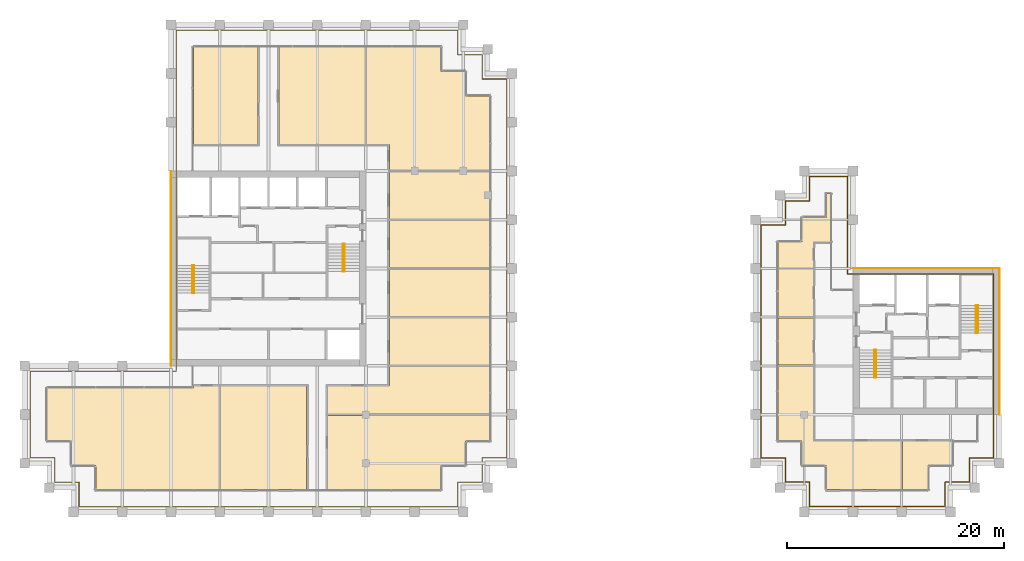
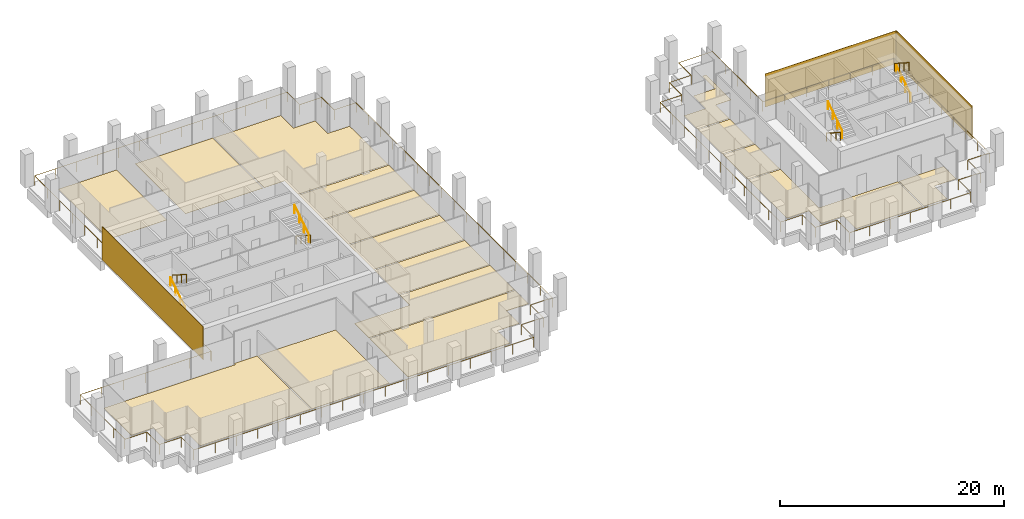
# One storey, part 40 of 40: 19 coverings, 10 railings.
"""IFC4 building model written with IfcOpenShell, lengths in metres."""

from ifc_helpers import new_model, si_unit, direction, frame, origin, origin_2d, place, context, subcontext, project, spatial, polyline, rectangle, circle, outline, extrude, source, transform, mapped, material, layer, layer_set, type_object, element, save


model = new_model("IFC4")

# Units and contexts
model_context = context("Model", 3, precision=1e-05, world=origin(), true_north=direction((0.0, 1.0)))
body_context = subcontext(model_context, "Body", "Model", "MODEL_VIEW")
ifc_project = project(units=[si_unit("LENGTHUNIT", "METRE"), si_unit("AREAUNIT", "SQUARE_METRE"), si_unit("VOLUMEUNIT", "CUBIC_METRE"), si_unit("PLANEANGLEUNIT", "RADIAN"), si_unit("MASSUNIT", "GRAM", prefix="KILO")], contexts=[model_context])

# Site, building, storey
site_placement = place(None, origin())
site = spatial("IfcSite", under=ifc_project, at=site_placement, CompositionType="ELEMENT")
building_placement = place(site_placement, origin())
building = spatial("IfcBuilding", under=site, at=building_placement, Name="Altepetl Exchange Towers", CompositionType="ELEMENT")
storey_placement = place(building_placement, frame((0.0, 0.0, 151.0)))
storey = spatial("IfcBuildingStorey", under=building, at=storey_placement, Name="L37", CompositionType="ELEMENT", Elevation=151.0)

# Coverings
ifc_material_1 = material(Name="Carpet tile")
ifc_layer_1 = layer(ifc_material_1, 0.02001953125)
ifc_layer_set_1 = layer_set([ifc_layer_1], Name="Carpet tile")
covering_type_1 = type_object("IfcCoveringType", Name="Carpet tile floor", PredefinedType="FLOORING", material=ifc_layer_set_1)
covering_1_placement = place(storey_placement, origin())
element("IfcCovering", 1, at=covering_1_placement, inside=storey, type_object=covering_type_1, Name="Fund office floor finish A37.01", PredefinedType="FLOORING", context=body_context, shape_type="SweptSolid", body=[
    extrude(outline(polyline([(31.3125, 31.3125), (33.5625, 31.3125), (33.5625, 29.0625), (44.9375, 29.0625), (44.9375, 38.637451171875), (42.5625, 38.637451171875), (42.5625, 38.4375), (29.0625, 38.4375), (29.0625, 33.5625), (31.3125, 33.5625), (31.3125, 31.3125)])), origin(), (0.0, 0.0, 1.0), 0.02001953125),
])
covering_2_placement = place(storey_placement, origin())
element("IfcCovering", 2, at=covering_2_placement, inside=storey, type_object=covering_type_1, Name="Fund office floor finish A37.02", PredefinedType="FLOORING", context=body_context, shape_type="SweptSolid", body=[
    extrude(outline(polyline([(45.0625, 38.637451171875), (45.0625, 29.0625), (53.03759765625, 29.0625), (53.03759765625, 38.637451171875), (45.0625, 38.637451171875)])), origin(), (0.0, 0.0, 1.0), 0.02001953125),
])
covering_3_placement = place(storey_placement, origin())
element("IfcCovering", 3, at=covering_3_placement, inside=storey, type_object=covering_type_1, Name="Meeting room floor finish A37.05", PredefinedType="FLOORING", context=body_context, shape_type="SweptSolid", body=[
    extrude(outline(polyline([(69.9375, 44.9375), (60.66259765625, 44.9375), (60.66259765625, 40.5625), (69.9375, 40.5625), (69.9375, 44.9375)])), origin(), (0.0, 0.0, 1.0), 0.02001953125),
])
covering_4_placement = place(storey_placement, origin())
element("IfcCovering", 4, at=covering_4_placement, inside=storey, type_object=covering_type_1, Name="Conference room floor finish A37.06", PredefinedType="FLOORING", context=body_context, shape_type="SweptSolid", body=[
    extrude(outline(polyline([(69.9375, 49.4375), (60.66259765625, 49.4375), (60.66259765625, 45.0625), (69.9375, 45.0625), (69.9375, 49.4375)])), origin(), (0.0, 0.0, 1.0), 0.02001953125),
])
covering_5_placement = place(storey_placement, origin())
element("IfcCovering", 5, at=covering_5_placement, inside=storey, type_object=covering_type_1, Name="Meeting room floor finish A37.07", PredefinedType="FLOORING", context=body_context, shape_type="SweptSolid", body=[
    extrude(outline(polyline([(69.9375, 53.9375), (60.66259765625, 53.9375), (60.66259765625, 49.5625), (69.9375, 49.5625), (69.9375, 53.9375)])), origin(), (0.0, 0.0, 1.0), 0.02001953125),
])
covering_6_placement = place(storey_placement, origin())
element("IfcCovering", 6, at=covering_6_placement, inside=storey, type_object=covering_type_1, Name="Conference room floor finish A37.08", PredefinedType="FLOORING", context=body_context, shape_type="SweptSolid", body=[
    extrude(outline(polyline([(69.9375, 54.0625), (69.9375, 58.4375), (60.66259765625, 58.4375), (60.66259765625, 54.0625), (69.9375, 54.0625)])), origin(), (0.0, 0.0, 1.0), 0.02001953125),
])
covering_7_placement = place(storey_placement, origin())
element("IfcCovering", 7, at=covering_7_placement, inside=storey, type_object=covering_type_1, Name="Open office floor finish A37.09", PredefinedType="FLOORING", context=body_context, shape_type="SweptSolid", body=[
    extrude(outline(polyline([(60.66259765625, 58.5625), (69.9375, 58.5625), (69.9375, 65.4375), (67.6875, 65.4375), (67.6875, 67.6875), (65.4375, 67.6875), (65.4375, 69.9375), (58.5625, 69.9375), (58.5625, 60.96240234375), (60.66259765625, 60.96240234375), (60.66259765625, 58.5625)])), origin(), (0.0, 0.0, 1.0), 0.02001953125),
])
covering_8_placement = place(storey_placement, origin())
element("IfcCovering", 8, at=covering_8_placement, inside=storey, type_object=covering_type_1, Name="Open office floor finish A37.10", PredefinedType="FLOORING", context=body_context, shape_type="SweptSolid", body=[
    extrude(outline(polyline([(58.4375, 60.96240234375), (58.4375, 69.9375), (50.46240234375, 69.9375), (50.46240234375, 60.96240234375), (58.4375, 60.96240234375)])), origin(), (0.0, 0.0, 1.0), 0.02001953125),
])
covering_9_placement = place(storey_placement, origin())
element("IfcCovering", 9, at=covering_9_placement, inside=storey, type_object=covering_type_1, Name="Fund office floor finish A37.11", PredefinedType="FLOORING", context=body_context, shape_type="SweptSolid", body=[
    extrude(outline(polyline([(42.5625, 60.96240234375), (48.53759765625, 60.96240234375), (48.53759765625, 69.9375), (42.5625, 69.9375), (42.5625, 60.96240234375)])), origin(), (0.0, 0.0, 1.0), 0.02001953125),
])
covering_10_placement = place(storey_placement, origin())
element("IfcCovering", 10, at=covering_10_placement, inside=storey, type_object=covering_type_1, Name="Family office floor finish B37.01", PredefinedType="FLOORING", context=body_context, shape_type="SweptSolid", body=[
    extrude(outline(polyline([(98.8125, 33.5625), (98.8125, 31.3125), (101.0625, 31.3125), (101.0625, 29.0625), (107.9375, 29.0625), (107.9375, 33.53759765625), (99.83740234375, 33.53759765625), (99.83740234375, 40.4375), (96.5625, 40.4375), (96.5625, 33.5625), (98.8125, 33.5625)])), origin(), (0.0, 0.0, 1.0), 0.02001953125),
])
covering_11_placement = place(storey_placement, origin())
element("IfcCovering", 11, at=covering_11_placement, inside=storey, type_object=covering_type_1, Name="Family office floor finish B37.02", PredefinedType="FLOORING", context=body_context, shape_type="SweptSolid", body=[
    extrude(outline(polyline([(108.0625, 33.53759765625), (108.0625, 29.0625), (110.4375, 29.0625), (110.4375, 31.3125), (112.6875, 31.3125), (112.6875, 33.53759765625), (108.0625, 33.53759765625)])), origin(), (0.0, 0.0, 1.0), 0.02001953125),
])
covering_12_placement = place(storey_placement, origin())
element("IfcCovering", 12, at=covering_12_placement, inside=storey, type_object=covering_type_1, Name="Meeting room floor finish B37.03", PredefinedType="FLOORING", context=body_context, shape_type="SweptSolid", body=[
    extrude(outline(polyline([(96.5625, 49.5625), (99.83740234375, 49.5625), (99.83740234375, 51.96240234375), (101.4375, 51.96240234375), (101.4375, 56.4375), (101.0625, 56.4375), (101.0625, 54.1875), (98.8125, 54.1875), (98.8125, 51.9375), (96.5625, 51.9375), (96.5625, 49.5625)])), origin(), (0.0, 0.0, 1.0), 0.02001953125),
])
covering_13_placement = place(storey_placement, origin())
element("IfcCovering", 13, at=covering_13_placement, inside=storey, type_object=covering_type_1, Name="Interview room floor finish B37.04", PredefinedType="FLOORING", context=body_context, shape_type="SweptSolid", body=[
    extrude(outline(polyline([(96.5625, 45.0625), (99.83740234375, 45.0625), (99.83740234375, 49.4375), (96.5625, 49.4375), (96.5625, 45.0625)])), origin(), (0.0, 0.0, 1.0), 0.02001953125),
])
covering_14_placement = place(storey_placement, origin())
element("IfcCovering", 14, at=covering_14_placement, inside=storey, type_object=covering_type_1, Name="Interview room floor finish B37.05", PredefinedType="FLOORING", context=body_context, shape_type="SweptSolid", body=[
    extrude(outline(polyline([(96.5625, 40.5625), (99.83740234375, 40.5625), (99.83740234375, 44.9375), (96.5625, 44.9375), (96.5625, 40.5625)])), origin(), (0.0, 0.0, 1.0), 0.02001953125),
])
ifc_material_2 = material(Name="Calcium sulphate access floor panel")
ifc_layer_2 = layer(ifc_material_2, 0.0400390625)
ifc_layer_set_2 = layer_set([ifc_layer_2], Name="Calcium sulphate access floor panel")
covering_type_2 = type_object("IfcCoveringType", Name="Raised access floor panels", PredefinedType="FLOORING", material=ifc_layer_set_2)
covering_15_placement = place(storey_placement, origin())
element("IfcCovering", 15, at=covering_15_placement, inside=storey, type_object=covering_type_2, Name="Broker office floor finish A37.03", PredefinedType="FLOORING", context=body_context, shape_type="SweptSolid", body=[
    extrude(outline(polyline([(69.9375, 35.9375), (54.96240234375, 35.9375), (54.96240234375, 29.0625), (65.4375, 29.0625), (65.4375, 31.3125), (67.6875, 31.3125), (67.6875, 33.5625), (69.9375, 33.5625), (69.9375, 35.9375)])), origin(), (0.0, 0.0, 1.0), 0.0400390625),
])
covering_16_placement = place(storey_placement, origin())
element("IfcCovering", 16, at=covering_16_placement, inside=storey, type_object=covering_type_2, Name="Broker office floor finish A37.04", PredefinedType="FLOORING", context=body_context, shape_type="SweptSolid", body=[
    extrude(outline(polyline([(69.9375, 40.4375), (60.66259765625, 40.4375), (60.66259765625, 38.637451171875), (54.96240234375, 38.637451171875), (54.96240234375, 36.0625), (69.9375, 36.0625), (69.9375, 40.4375)])), origin(), (0.0, 0.0, 1.0), 0.0400390625),
])
ifc_material_3 = material(Name="Cantera limestone cladding", Category="masonry")
ifc_layer_3 = layer(ifc_material_3, 0.0400390625)
ifc_layer_set_3 = layer_set([ifc_layer_3], Name="Cantera limestone cladding")
covering_type_3 = type_object("IfcCoveringType", Name="Stone panel 40 cantera", PredefinedType="CLADDING", material=ifc_layer_set_3)
covering_17_placement = place(storey_placement, frame((40.47998046875, 49.5, 0.0), z_axis=(0.0, 0.0, 1.0), x_axis=(0.0, -1.0, 0.0)))
element("IfcCovering", 17, at=covering_17_placement, inside=storey, type_object=covering_type_3, Name="Stone cladding panel", PredefinedType="CLADDING", context=body_context, shape_type="SweptSolid", body=[
    extrude(rectangle(XDim=18.0, YDim=0.0400390625, at=origin_2d()), origin(), (0.0, 0.0, 1.0), 3.60009765625),
])
for number, where, z_axis, x_axis, name in (
    (18, (117.02001953125, 42.75, 0.0), (0.0, 0.0, 1.0), (0.0, 1.0, 0.0), "Stone cladding panel"),
    (19, (110.25, 49.52001953125, 0.0), (0.0, 0.0, 1.0), (-1.0, 0.0, 0.0), "Stone cladding panel"),
):
    element("IfcCovering", number, at=place(storey_placement, frame(where, z_axis=z_axis, x_axis=x_axis)), inside=storey, type_object=covering_type_3, Name=name, PredefinedType="CLADDING", context=body_context, shape_type="SweptSolid", body=[
        extrude(rectangle(XDim=13.5, YDim=0.0400390625, at=origin_2d()), origin(), (0.0, 0.0, 1.0), 3.60009765625),
    ])

# Railings
ifc_material_4 = material(Name="Steel S355", Category="steel")
railing_type_1 = type_object("IfcRailingType", Name="Guard 1100 steel posts and rail", PredefinedType="GUARDRAIL", material=ifc_material_4)
shared_shape_1 = source(origin(), body_context, "Body", "SweptSolid", [
    extrude(circle(Radius=0.02099609375, at=origin_2d()), origin(), (0.0, 0.0, 1.0), 1.052001953125),
])
railing_1_placement = place(storey_placement, frame((41.0, 40.0, 0.0)))
element("IfcRailing", 20, at=railing_1_placement, inside=storey, type_object=railing_type_1, Name="Loggia guard", PredefinedType="GUARDRAIL", context=body_context, shape_type="SweptSolid", body=[
    extrude(circle(Radius=0.02392578125, at=origin_2d()), frame((0.0, 0.0, 1.076171875), z_axis=(-1.0, 0.0, 0.0), x_axis=(0.0, -1.0, 0.0)), (0.0, 0.0, 1.0), 13.5),
    extrude(circle(Radius=0.02392578125, at=origin_2d()), frame((-13.5, 0.0, 1.076171875), z_axis=(0.0, -1.0, 0.0), x_axis=(1.0, 0.0, 0.0)), (0.0, 0.0, 1.0), 8.0),
    extrude(circle(Radius=0.02392578125, at=origin_2d()), frame((-13.5, -8.0, 1.076171875), z_axis=(1.0, 0.0, 0.0), x_axis=(0.0, 1.0, 0.0)), (0.0, 0.0, 1.0), 2.25),
    extrude(circle(Radius=0.02392578125, at=origin_2d()), frame((-11.25, -8.0, 1.076171875), z_axis=(0.0, -1.0, 0.0), x_axis=(1.0, 0.0, 0.0)), (0.0, 0.0, 1.0), 2.25),
    extrude(circle(Radius=0.02392578125, at=origin_2d()), frame((-11.25, -10.25, 1.076171875), z_axis=(1.0, 0.0, 0.0), x_axis=(0.0, 1.0, 0.0)), (0.0, 0.0, 1.0), 2.25),
    extrude(circle(Radius=0.02392578125, at=origin_2d()), frame((-9.0, -10.25, 1.076171875), z_axis=(0.0, -1.0, 0.0), x_axis=(1.0, 0.0, 0.0)), (0.0, 0.0, 1.0), 2.25),
    extrude(circle(Radius=0.02392578125, at=origin_2d()), frame((-9.0, -12.5, 1.076171875), z_axis=(1.0, 0.0, 0.0), x_axis=(0.0, 1.0, 0.0)), (0.0, 0.0, 1.0), 35.0),
    extrude(circle(Radius=0.02392578125, at=origin_2d()), frame((26.0, -12.5, 1.076171875), z_axis=(0.0, 1.0, 0.0), x_axis=(-1.0, 0.0, 0.0)), (0.0, 0.0, 1.0), 2.25),
    extrude(circle(Radius=0.02392578125, at=origin_2d()), frame((26.0, -10.25, 1.076171875), z_axis=(1.0, 0.0, 0.0), x_axis=(0.0, 1.0, 0.0)), (0.0, 0.0, 1.0), 2.25),
    extrude(circle(Radius=0.02392578125, at=origin_2d()), frame((28.25, -10.25, 1.076171875), z_axis=(0.0, 1.0, 0.0), x_axis=(-1.0, 0.0, 0.0)), (0.0, 0.0, 1.0), 2.25),
    extrude(circle(Radius=0.02392578125, at=origin_2d()), frame((28.25, -8.0, 1.076171875), z_axis=(1.0, 0.0, 0.0), x_axis=(0.0, 1.0, 0.0)), (0.0, 0.0, 1.0), 2.25),
    extrude(circle(Radius=0.02392578125, at=origin_2d()), frame((30.5, -8.0, 1.076171875), z_axis=(0.0, 1.0, 0.0), x_axis=(-1.0, 0.0, 0.0)), (0.0, 0.0, 1.0), 35.0),
    extrude(circle(Radius=0.02392578125, at=origin_2d()), frame((30.5, 27.0, 1.076171875), z_axis=(-1.0, 0.0, 0.0), x_axis=(0.0, -1.0, 0.0)), (0.0, 0.0, 1.0), 2.25),
    extrude(circle(Radius=0.02392578125, at=origin_2d()), frame((28.25, 27.0, 1.076171875), z_axis=(0.0, 1.0, 0.0), x_axis=(-1.0, 0.0, 0.0)), (0.0, 0.0, 1.0), 2.25),
    extrude(circle(Radius=0.02392578125, at=origin_2d()), frame((28.25, 29.25, 1.076171875), z_axis=(-1.0, 0.0, 0.0), x_axis=(0.0, -1.0, 0.0)), (0.0, 0.0, 1.0), 2.25),
    extrude(circle(Radius=0.02392578125, at=origin_2d()), frame((26.0, 29.25, 1.076171875), z_axis=(0.0, 1.0, 0.0), x_axis=(-1.0, 0.0, 0.0)), (0.0, 0.0, 1.0), 2.25),
    extrude(circle(Radius=0.02392578125, at=origin_2d()), frame((26.0, 31.5, 1.076171875), z_axis=(-1.0, 0.0, 0.0), x_axis=(0.0, -1.0, 0.0)), (0.0, 0.0, 1.0), 26.0),
    extrude(circle(Radius=0.02392578125, at=origin_2d()), frame((0.0, 31.5, 1.076171875), z_axis=(0.0, -1.0, 0.0), x_axis=(1.0, 0.0, 0.0)), (0.0, 0.0, 1.0), 31.39990234375),
    mapped(shared_shape_1, transform((0.0, 0.0, 0.0))),
    mapped(shared_shape_1, transform((-2.25, 0.0, 0.0))),
    mapped(shared_shape_1, transform((-4.5, 0.0, 0.0))),
    mapped(shared_shape_1, transform((-6.75, 0.0, 0.0))),
    mapped(shared_shape_1, transform((-9.0, 0.0, 0.0))),
    mapped(shared_shape_1, transform((-11.25, 0.0, 0.0))),
    mapped(shared_shape_1, transform((-13.5, 0.0, 0.0))),
    mapped(shared_shape_1, transform((-13.5, -2.0, 0.0))),
    mapped(shared_shape_1, transform((-13.5, -4.0, 0.0))),
    mapped(shared_shape_1, transform((-13.5, -6.0, 0.0))),
    mapped(shared_shape_1, transform((-13.5, -8.0, 0.0))),
    mapped(shared_shape_1, transform((-11.25, -8.0, 0.0))),
    mapped(shared_shape_1, transform((-11.25, -10.25, 0.0))),
    mapped(shared_shape_1, transform((-9.0, -10.25, 0.0))),
    mapped(shared_shape_1, transform((-9.0, -12.5, 0.0))),
    mapped(shared_shape_1, transform((-6.8125, -12.5, 0.0))),
    mapped(shared_shape_1, transform((-4.625, -12.5, 0.0))),
    mapped(shared_shape_1, transform((-2.4375, -12.5, 0.0))),
    mapped(shared_shape_1, transform((-0.25, -12.5, 0.0))),
    mapped(shared_shape_1, transform((1.9375, -12.5, 0.0))),
    mapped(shared_shape_1, transform((4.125, -12.5, 0.0))),
    mapped(shared_shape_1, transform((6.3125, -12.5, 0.0))),
    mapped(shared_shape_1, transform((8.5, -12.5, 0.0))),
    mapped(shared_shape_1, transform((10.6875, -12.5, 0.0))),
    mapped(shared_shape_1, transform((12.875, -12.5, 0.0))),
    mapped(shared_shape_1, transform((15.0625, -12.5, 0.0))),
    mapped(shared_shape_1, transform((17.25, -12.5, 0.0))),
    mapped(shared_shape_1, transform((19.4375, -12.5, 0.0))),
    mapped(shared_shape_1, transform((21.625, -12.5, 0.0))),
    mapped(shared_shape_1, transform((23.8125, -12.5, 0.0))),
    mapped(shared_shape_1, transform((26.0, -12.5, 0.0))),
    mapped(shared_shape_1, transform((26.0, -10.25, 0.0))),
    mapped(shared_shape_1, transform((28.25, -10.25, 0.0))),
    mapped(shared_shape_1, transform((28.25, -8.0, 0.0))),
    mapped(shared_shape_1, transform((30.5, -8.0, 0.0))),
    mapped(shared_shape_1, transform((30.5, -5.8125, 0.0))),
    mapped(shared_shape_1, transform((30.5, -3.625, 0.0))),
    mapped(shared_shape_1, transform((30.5, -1.4375, 0.0))),
    mapped(shared_shape_1, transform((30.5, 0.75, 0.0))),
    mapped(shared_shape_1, transform((30.5, 2.9375, 0.0))),
    mapped(shared_shape_1, transform((30.5, 5.125, 0.0))),
    mapped(shared_shape_1, transform((30.5, 7.3125, 0.0))),
    mapped(shared_shape_1, transform((30.5, 9.5, 0.0))),
    mapped(shared_shape_1, transform((30.5, 11.6875, 0.0))),
    mapped(shared_shape_1, transform((30.5, 13.875, 0.0))),
    mapped(shared_shape_1, transform((30.5, 16.0625, 0.0))),
    mapped(shared_shape_1, transform((30.5, 18.25, 0.0))),
    mapped(shared_shape_1, transform((30.5, 20.4375, 0.0))),
    mapped(shared_shape_1, transform((30.5, 22.625, 0.0))),
    mapped(shared_shape_1, transform((30.5, 24.8125, 0.0))),
    mapped(shared_shape_1, transform((30.5, 27.0, 0.0))),
    mapped(shared_shape_1, transform((28.25, 27.0, 0.0))),
    mapped(shared_shape_1, transform((28.25, 29.25, 0.0))),
    mapped(shared_shape_1, transform((26.0, 29.25, 0.0))),
    mapped(shared_shape_1, transform((26.0, 31.5, 0.0))),
    mapped(shared_shape_1, transform((23.833251953125, 31.5, 0.0))),
    mapped(shared_shape_1, transform((21.666748046875, 31.5, 0.0))),
    mapped(shared_shape_1, transform((19.5, 31.5, 0.0))),
    mapped(shared_shape_1, transform((17.333251953125, 31.5, 0.0))),
    mapped(shared_shape_1, transform((15.166748046875, 31.5, 0.0))),
    mapped(shared_shape_1, transform((13.0, 31.5, 0.0))),
    mapped(shared_shape_1, transform((10.833251953125, 31.5, 0.0))),
    mapped(shared_shape_1, transform((8.666748046875, 31.5, 0.0))),
    mapped(shared_shape_1, transform((6.5, 31.5, 0.0))),
    mapped(shared_shape_1, transform((4.333251953125, 31.5, 0.0))),
    mapped(shared_shape_1, transform((2.166748046875, 31.5, 0.0))),
    mapped(shared_shape_1, transform((0.0, 31.5, 0.0))),
    mapped(shared_shape_1, transform((0.0, 29.257080078125, 0.0))),
    mapped(shared_shape_1, transform((0.0, 27.014404296875, 0.0))),
    mapped(shared_shape_1, transform((0.0, 24.771484375, 0.0))),
    mapped(shared_shape_1, transform((0.0, 22.528564453125, 0.0))),
    mapped(shared_shape_1, transform((0.0, 20.28564453125, 0.0))),
    mapped(shared_shape_1, transform((0.0, 18.04296875, 0.0))),
    mapped(shared_shape_1, transform((0.0, 15.800048828125, 0.0))),
    mapped(shared_shape_1, transform((0.0, 13.55712890625, 0.0))),
    mapped(shared_shape_1, transform((0.0, 11.314453125, 0.0))),
    mapped(shared_shape_1, transform((0.0, 9.071533203125, 0.0))),
    mapped(shared_shape_1, transform((0.0, 6.82861328125, 0.0))),
    mapped(shared_shape_1, transform((0.0, 4.585693359375, 0.0))),
    mapped(shared_shape_1, transform((0.0, 2.343017578125, 0.0))),
    mapped(shared_shape_1, transform((0.0, 0.10009765625, 0.0))),
])
railing_2_placement = place(storey_placement, frame((99.5, 27.5, 0.0)))
element("IfcRailing", 21, at=railing_2_placement, inside=storey, type_object=railing_type_1, Name="Loggia guard", PredefinedType="GUARDRAIL", context=body_context, shape_type="SweptSolid", body=[
    extrude(circle(Radius=0.02392578125, at=origin_2d()), frame((0.0, 0.0, 1.076171875), z_axis=(1.0, 0.0, 0.0), x_axis=(0.0, 1.0, 0.0)), (0.0, 0.0, 1.0), 12.5),
    extrude(circle(Radius=0.02392578125, at=origin_2d()), frame((12.5, 0.0, 1.076171875), z_axis=(0.0, 1.0, 0.0), x_axis=(-1.0, 0.0, 0.0)), (0.0, 0.0, 1.0), 2.25),
    extrude(circle(Radius=0.02392578125, at=origin_2d()), frame((12.5, 2.25, 1.076171875), z_axis=(1.0, 0.0, 0.0), x_axis=(0.0, 1.0, 0.0)), (0.0, 0.0, 1.0), 2.25),
    extrude(circle(Radius=0.02392578125, at=origin_2d()), frame((14.75, 2.25, 1.076171875), z_axis=(0.0, 1.0, 0.0), x_axis=(-1.0, 0.0, 0.0)), (0.0, 0.0, 1.0), 2.25),
    extrude(circle(Radius=0.02392578125, at=origin_2d()), frame((14.75, 4.5, 1.076171875), z_axis=(1.0, 0.0, 0.0), x_axis=(0.0, 1.0, 0.0)), (0.0, 0.0, 1.0), 2.25),
    extrude(circle(Radius=0.02392578125, at=origin_2d()), frame((17.0, 4.5, 1.076171875), z_axis=(0.0, 1.0, 0.0), x_axis=(-1.0, 0.0, 0.0)), (0.0, 0.0, 1.0), 17.0),
    extrude(circle(Radius=0.02392578125, at=origin_2d()), frame((17.0, 21.5, 1.076171875), z_axis=(-1.0, 0.0, 0.0), x_axis=(0.0, -1.0, 0.0)), (0.0, 0.0, 1.0), 13.5),
    extrude(circle(Radius=0.02392578125, at=origin_2d()), frame((3.5, 21.5, 1.076171875), z_axis=(0.0, 1.0, 0.0), x_axis=(-1.0, 0.0, 0.0)), (0.0, 0.0, 1.0), 9.0),
    extrude(circle(Radius=0.02392578125, at=origin_2d()), frame((3.5, 30.5, 1.076171875), z_axis=(-1.0, 0.0, 0.0), x_axis=(0.0, -1.0, 0.0)), (0.0, 0.0, 1.0), 3.5),
    extrude(circle(Radius=0.02392578125, at=origin_2d()), frame((0.0, 30.5, 1.076171875), z_axis=(0.0, -1.0, 0.0), x_axis=(1.0, 0.0, 0.0)), (0.0, 0.0, 1.0), 2.25),
    extrude(circle(Radius=0.02392578125, at=origin_2d()), frame((0.0, 28.25, 1.076171875), z_axis=(-1.0, 0.0, 0.0), x_axis=(0.0, -1.0, 0.0)), (0.0, 0.0, 1.0), 2.25),
    extrude(circle(Radius=0.02392578125, at=origin_2d()), frame((-2.25, 28.25, 1.076171875), z_axis=(0.0, -1.0, 0.0), x_axis=(1.0, 0.0, 0.0)), (0.0, 0.0, 1.0), 2.25),
    extrude(circle(Radius=0.02392578125, at=origin_2d()), frame((-2.25, 26.0, 1.076171875), z_axis=(-1.0, 0.0, 0.0), x_axis=(0.0, -1.0, 0.0)), (0.0, 0.0, 1.0), 2.25),
    extrude(circle(Radius=0.02392578125, at=origin_2d()), frame((-4.5, 26.0, 1.076171875), z_axis=(0.0, -1.0, 0.0), x_axis=(1.0, 0.0, 0.0)), (0.0, 0.0, 1.0), 21.5),
    extrude(circle(Radius=0.02392578125, at=origin_2d()), frame((-4.5, 4.5, 1.076171875), z_axis=(1.0, 0.0, 0.0), x_axis=(0.0, 1.0, 0.0)), (0.0, 0.0, 1.0), 2.25),
    extrude(circle(Radius=0.02392578125, at=origin_2d()), frame((-2.25, 4.5, 1.076171875), z_axis=(0.0, -1.0, 0.0), x_axis=(1.0, 0.0, 0.0)), (0.0, 0.0, 1.0), 2.25),
    extrude(circle(Radius=0.02392578125, at=origin_2d()), frame((-2.25, 2.25, 1.076171875), z_axis=(1.0, 0.0, 0.0), x_axis=(0.0, 1.0, 0.0)), (0.0, 0.0, 1.0), 2.25),
    extrude(circle(Radius=0.02392578125, at=origin_2d()), frame((0.0, 2.25, 1.076171875), z_axis=(0.0, -1.0, 0.0), x_axis=(1.0, 0.0, 0.0)), (0.0, 0.0, 1.0), 2.14990234375),
    mapped(shared_shape_1, transform((0.0, 0.0, 0.0))),
    mapped(shared_shape_1, transform((2.083251953125, 0.0, 0.0))),
    mapped(shared_shape_1, transform((4.166748046875, 0.0, 0.0))),
    mapped(shared_shape_1, transform((6.25, 0.0, 0.0))),
    mapped(shared_shape_1, transform((8.333251953125, 0.0, 0.0))),
    mapped(shared_shape_1, transform((10.416748046875, 0.0, 0.0))),
    mapped(shared_shape_1, transform((12.5, 0.0, 0.0))),
    mapped(shared_shape_1, transform((12.5, 2.25, 0.0))),
    mapped(shared_shape_1, transform((14.75, 2.25, 0.0))),
    mapped(shared_shape_1, transform((14.75, 4.5, 0.0))),
    mapped(shared_shape_1, transform((17.0, 4.5, 0.0))),
    mapped(shared_shape_1, transform((17.0, 6.625, 0.0))),
    mapped(shared_shape_1, transform((17.0, 8.75, 0.0))),
    mapped(shared_shape_1, transform((17.0, 10.875, 0.0))),
    mapped(shared_shape_1, transform((17.0, 13.0, 0.0))),
    mapped(shared_shape_1, transform((17.0, 15.125, 0.0))),
    mapped(shared_shape_1, transform((17.0, 17.25, 0.0))),
    mapped(shared_shape_1, transform((17.0, 19.375, 0.0))),
    mapped(shared_shape_1, transform((17.0, 21.5, 0.0))),
    mapped(shared_shape_1, transform((14.75, 21.5, 0.0))),
    mapped(shared_shape_1, transform((12.5, 21.5, 0.0))),
    mapped(shared_shape_1, transform((10.25, 21.5, 0.0))),
    mapped(shared_shape_1, transform((8.0, 21.5, 0.0))),
    mapped(shared_shape_1, transform((5.75, 21.5, 0.0))),
    mapped(shared_shape_1, transform((3.5, 21.5, 0.0))),
    mapped(shared_shape_1, transform((3.5, 23.75, 0.0))),
    mapped(shared_shape_1, transform((3.5, 26.0, 0.0))),
    mapped(shared_shape_1, transform((3.5, 28.25, 0.0))),
    mapped(shared_shape_1, transform((3.5, 30.5, 0.0))),
    mapped(shared_shape_1, transform((1.75, 30.5, 0.0))),
    mapped(shared_shape_1, transform((0.0, 30.5, 0.0))),
    mapped(shared_shape_1, transform((0.0, 28.25, 0.0))),
    mapped(shared_shape_1, transform((-2.25, 28.25, 0.0))),
    mapped(shared_shape_1, transform((-2.25, 26.0, 0.0))),
    mapped(shared_shape_1, transform((-4.5, 26.0, 0.0))),
    mapped(shared_shape_1, transform((-4.5, 23.85009765625, 0.0))),
    mapped(shared_shape_1, transform((-4.5, 21.699951171875, 0.0))),
    mapped(shared_shape_1, transform((-4.5, 19.550048828125, 0.0))),
    mapped(shared_shape_1, transform((-4.5, 17.39990234375, 0.0))),
    mapped(shared_shape_1, transform((-4.5, 15.25, 0.0))),
    mapped(shared_shape_1, transform((-4.5, 13.10009765625, 0.0))),
    mapped(shared_shape_1, transform((-4.5, 10.949951171875, 0.0))),
    mapped(shared_shape_1, transform((-4.5, 8.800048828125, 0.0))),
    mapped(shared_shape_1, transform((-4.5, 6.64990234375, 0.0))),
    mapped(shared_shape_1, transform((-4.5, 4.5, 0.0))),
    mapped(shared_shape_1, transform((-2.25, 4.5, 0.0))),
    mapped(shared_shape_1, transform((-2.25, 2.25, 0.0))),
    mapped(shared_shape_1, transform((0.0, 2.25, 0.0))),
    mapped(shared_shape_1, transform((0.0, 0.10009765625, 0.0))),
])
ifc_material_5 = material(Name="Steel", Category="steel")
railing_type_2 = type_object("IfcRailingType", Name="Stair handrail 50 steel tube", PredefinedType="HANDRAIL", material=ifc_material_5)
shared_shape_2 = source(origin(), body_context, "Body", "SweptSolid", [
    extrude(circle(Radius=0.02099609375, at=origin_2d()), origin(), (0.0, 0.0, 1.0), 0.851806640625),
])
railing_3_placement = place(storey_placement, frame((42.469970703125, 47.25, 0.179931640625)))
element("IfcRailing", 22, at=railing_3_placement, inside=storey, type_object=railing_type_2, Name="Stair handrail", PredefinedType="HANDRAIL", context=body_context, shape_type="SweptSolid", body=[
    extrude(circle(Radius=0.02392578125, at=origin_2d()), frame((0.0, 0.0, 0.8759765625), z_axis=(0.0, 0.841162588446, 0.540782303519), x_axis=(-1.0, 0.0, 0.0)), (0.0, 0.0, 1.0), 2.995849609375),
    mapped(shared_shape_2, transform((0.0, 0.0, 0.0))),
    mapped(shared_shape_2, transform((0.0, 0.840087890625, 0.5400390625))),
    mapped(shared_shape_2, transform((0.0, 1.679931640625, 1.080078125))),
    mapped(shared_shape_2, transform((0.0, 2.52001953125, 1.6201171875))),
])
for number, where, name in (
    (23, (42.6298828125, 49.77001953125, 1.97998046875), "Stair handrail"),
    (24, (56.530029296875, 51.75, 0.179931640625), "Stair handrail"),
):
    element("IfcRailing", number, at=place(storey_placement, frame(where)), inside=storey, type_object=railing_type_2, Name=name, PredefinedType="HANDRAIL", context=body_context, shape_type="SweptSolid", body=[
        extrude(circle(Radius=0.02392578125, at=origin_2d()), frame((0.0, 0.0, 0.8759765625), z_axis=(0.0, -0.841162588446, 0.540782303519), x_axis=(1.0, 0.0, 0.0)), (0.0, 0.0, 1.0), 2.995849609375),
        mapped(shared_shape_2, transform((0.0, 0.0, 0.0))),
        mapped(shared_shape_2, transform((0.0, -0.840087890625, 0.5400390625))),
        mapped(shared_shape_2, transform((0.0, -1.679931640625, 1.080078125))),
        mapped(shared_shape_2, transform((0.0, -2.52001953125, 1.6201171875))),
    ])
railing_4_placement = place(storey_placement, frame((56.3701171875, 49.22998046875, 1.97998046875)))
element("IfcRailing", 25, at=railing_4_placement, inside=storey, type_object=railing_type_2, Name="Stair handrail", PredefinedType="HANDRAIL", context=body_context, shape_type="SweptSolid", body=[
    extrude(circle(Radius=0.02392578125, at=origin_2d()), frame((0.0, 0.0, 0.8759765625), z_axis=(0.0, 0.841162588446, 0.540782303519), x_axis=(-1.0, 0.0, 0.0)), (0.0, 0.0, 1.0), 2.995849609375),
    mapped(shared_shape_2, transform((0.0, 0.0, 0.0))),
    mapped(shared_shape_2, transform((0.0, 0.840087890625, 0.5400390625))),
    mapped(shared_shape_2, transform((0.0, 1.679931640625, 1.080078125))),
    mapped(shared_shape_2, transform((0.0, 2.52001953125, 1.6201171875))),
])
railing_5_placement = place(storey_placement, frame((105.469970703125, 41.949951171875, 0.179931640625)))
element("IfcRailing", 26, at=railing_5_placement, inside=storey, type_object=railing_type_2, Name="Stair handrail", PredefinedType="HANDRAIL", context=body_context, shape_type="SweptSolid", body=[
    extrude(circle(Radius=0.02392578125, at=origin_2d()), frame((0.0, 0.0, 0.8759765625), z_axis=(0.0, -0.841162588446, 0.540782303519), x_axis=(1.0, 0.0, 0.0)), (0.0, 0.0, 1.0), 2.995849609375),
    mapped(shared_shape_2, transform((0.0, 0.0, 0.0))),
    mapped(shared_shape_2, transform((0.0, -0.840087890625, 0.5400390625))),
    mapped(shared_shape_2, transform((0.0, -1.679931640625, 1.080078125))),
    mapped(shared_shape_2, transform((0.0, -2.52001953125, 1.6201171875))),
])
for number, where, name in (
    (27, (105.6298828125, 39.429931640625, 1.97998046875), "Stair handrail"),
    (28, (115.030029296875, 43.550048828125, 0.179931640625), "Stair handrail"),
):
    element("IfcRailing", number, at=place(storey_placement, frame(where)), inside=storey, type_object=railing_type_2, Name=name, PredefinedType="HANDRAIL", context=body_context, shape_type="SweptSolid", body=[
        extrude(circle(Radius=0.02392578125, at=origin_2d()), frame((0.0, 0.0, 0.8759765625), z_axis=(0.0, 0.841162588446, 0.540782303519), x_axis=(-1.0, 0.0, 0.0)), (0.0, 0.0, 1.0), 2.995849609375),
        mapped(shared_shape_2, transform((0.0, 0.0, 0.0))),
        mapped(shared_shape_2, transform((0.0, 0.840087890625, 0.5400390625))),
        mapped(shared_shape_2, transform((0.0, 1.679931640625, 1.080078125))),
        mapped(shared_shape_2, transform((0.0, 2.52001953125, 1.6201171875))),
    ])
railing_6_placement = place(storey_placement, frame((114.8701171875, 46.070068359375, 1.97998046875)))
element("IfcRailing", 29, at=railing_6_placement, inside=storey, type_object=railing_type_2, Name="Stair handrail", PredefinedType="HANDRAIL", context=body_context, shape_type="SweptSolid", body=[
    extrude(circle(Radius=0.02392578125, at=origin_2d()), frame((0.0, 0.0, 0.8759765625), z_axis=(0.0, -0.841162588446, 0.540782303519), x_axis=(1.0, 0.0, 0.0)), (0.0, 0.0, 1.0), 2.995849609375),
    mapped(shared_shape_2, transform((0.0, 0.0, 0.0))),
    mapped(shared_shape_2, transform((0.0, -0.840087890625, 0.5400390625))),
    mapped(shared_shape_2, transform((0.0, -1.679931640625, 1.080078125))),
    mapped(shared_shape_2, transform((0.0, -2.52001953125, 1.6201171875))),
])

save(model, "model.ifc")
